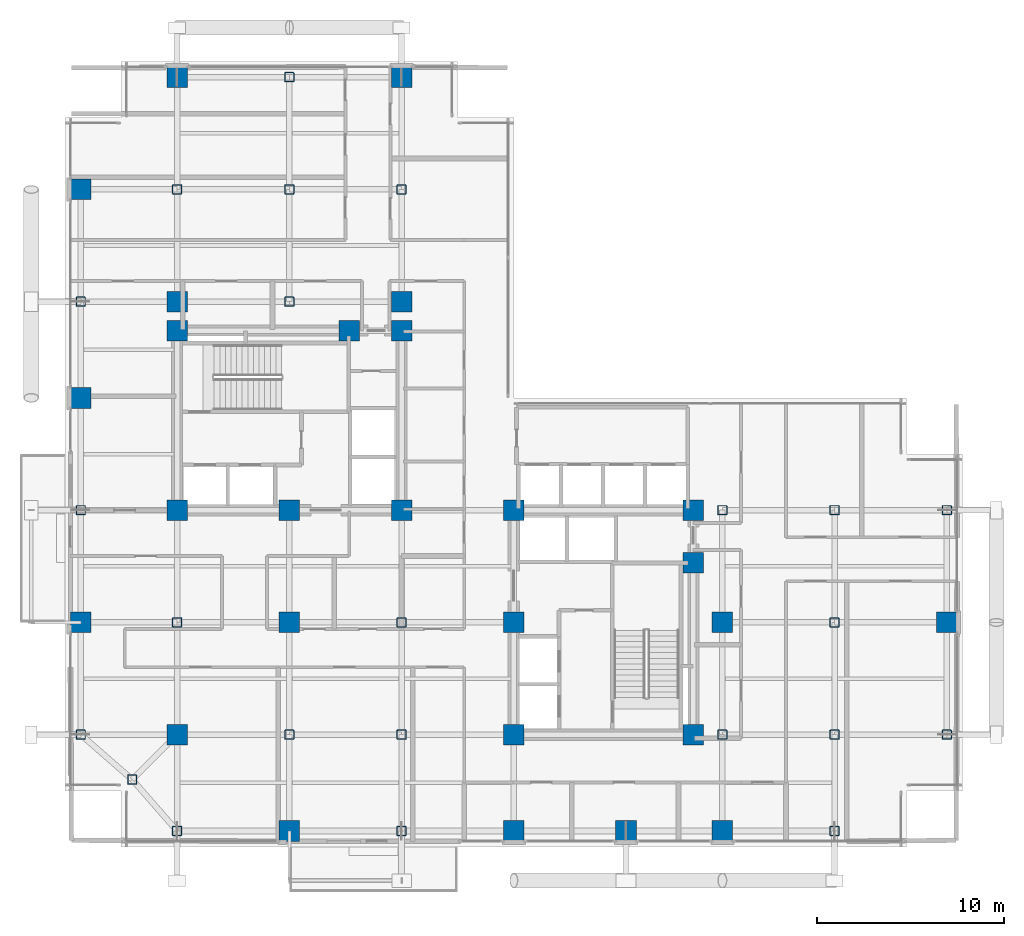
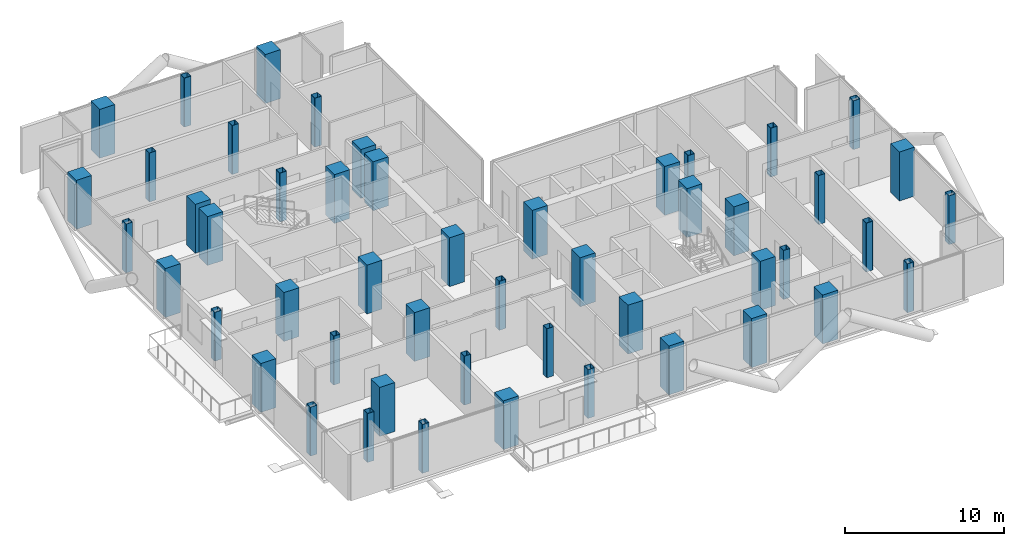
# One storey, part 1 of 24: 50 columns.
"""IFC4 building model written with IfcOpenShell, lengths in metres."""

from ifc_helpers import new_model, si_unit, direction, frame, origin, origin_2d, place, context, subcontext, project, spatial, rectangle, hollow_rectangle, extrude, material, material_profile, profile_set, type_object, element, save


model = new_model("IFC4")

# Units and contexts
model_context = context("Model", 3, precision=1e-05, world=origin(), true_north=direction((0.0, 1.0)))
body_context = subcontext(model_context, "Body", "Model", "MODEL_VIEW")
ifc_project = project(units=[si_unit("LENGTHUNIT", "METRE"), si_unit("AREAUNIT", "SQUARE_METRE"), si_unit("VOLUMEUNIT", "CUBIC_METRE"), si_unit("PLANEANGLEUNIT", "RADIAN"), si_unit("MASSUNIT", "GRAM", prefix="KILO"), si_unit("THERMODYNAMICTEMPERATUREUNIT", "KELVIN"), si_unit("POWERUNIT", "WATT")], contexts=[model_context])

# Site, building, storey
site_placement = place(None, origin())
site = spatial("IfcSite", under=ifc_project, at=site_placement, CompositionType="ELEMENT")
building_placement = place(site_placement, origin())
building = spatial("IfcBuilding", under=site, at=building_placement, Name="Svarakhadi Broadcast Tower", CompositionType="ELEMENT")
storey_placement = place(building_placement, frame((0.0, 0.0, 126.89990234375)))
storey = spatial("IfcBuildingStorey", under=building, at=storey_placement, Name="L30", CompositionType="ELEMENT", Elevation=126.89990234375)

# Columns
ifc_material_1 = material(Name="Concrete C50/60 (IS 456 M60)", Category="concrete")
ifc_material_profile_1 = material_profile(ifc_material_1, rectangle(XDim=1.10009765625, YDim=1.10009765625, at=origin_2d()), Name="RC 1100x1100")
ifc_profile_set_1 = profile_set([ifc_material_profile_1], Name="Concrete C50/60 (IS 456 M60)")
column_type_1 = type_object("IfcColumnType", Name="Col_RC1100", PredefinedType="COLUMN", material=ifc_profile_set_1)
for number, where, z_axis, x_axis, name in (
    (1, (6.0, 18.0, 0.0), (0.0, 0.0, 1.0), (1.0, 0.0, 0.0), "L30 Column CW1"),
    (2, (12.0, 18.0, 0.0), (0.0, 0.0, 1.0), (1.0, 0.0, 0.0), "L30 Column CW2"),
    (3, (18.0, 18.0, 0.0), (0.0, 0.0, 1.0), (1.0, 0.0, 0.0), "L30 Column CW3"),
    (4, (6.0, 27.60009765625, 0.0), (0.0, 0.0, 1.0), (1.0, 0.0, 0.0), "L30 Column CW4"),
    (5, (15.199951171875, 27.60009765625, 0.0), (0.0, 0.0, 1.0), (1.0, 0.0, 0.0), "L30 Column CW5"),
    (6, (18.0, 27.60009765625, 0.0), (0.0, 0.0, 1.0), (1.0, 0.0, 0.0), "L30 Column CW6"),
    (7, (24.0, 6.0, 0.0), (0.0, 0.0, 1.0), (1.0, 0.0, 0.0), "L30 Column CE1"),
    (8, (24.0, 12.0, 0.0), (0.0, 0.0, 1.0), (1.0, 0.0, 0.0), "L30 Column CE2"),
    (9, (24.0, 18.0, 0.0), (0.0, 0.0, 1.0), (1.0, 0.0, 0.0), "L30 Column CE3"),
    (10, (33.60009765625, 6.0, 0.0), (0.0, 0.0, 1.0), (1.0, 0.0, 0.0), "L30 Column CE4"),
    (11, (33.60009765625, 15.199951171875, 0.0), (0.0, 0.0, 1.0), (1.0, 0.0, 0.0), "L30 Column CE5"),
    (12, (33.60009765625, 18.0, 0.0), (0.0, 0.0, 1.0), (1.0, 0.0, 0.0), "L30 Column CE6"),
    (13, (0.85009765625, 12.0, 0.0), (0.0, 0.0, 1.0), (1.0, 0.0, 0.0), "L30 Column G04"),
    (14, (0.85009765625, 24.0, 0.0), (0.0, 0.0, 1.0), (1.0, 0.0, 0.0), "L30 Column G06"),
    (15, (0.85009765625, 35.14990234375, 0.0), (0.0, 0.0, 1.0), (1.0, 0.0, 0.0), "L30 Column G08"),
    (16, (6.0, 6.0, 0.0), (0.0, 0.0, 1.0), (1.0, 0.0, 0.0), "L30 Column G12"),
    (17, (6.0, 29.14990234375, 0.0), (0.0, 0.0, 1.0), (1.0, 0.0, 0.0), "L30 Column G14"),
    (18, (6.0, 41.14990234375, 0.0), (0.0, 0.0, 1.0), (1.0, 0.0, 0.0), "L30 Column G16"),
    (19, (12.0, 0.85009765625, 0.0), (0.0, 0.0, 1.0), (1.0, 0.0, 0.0), "L30 Column G18"),
    (20, (12.0, 12.0, 0.0), (0.0, 0.0, 1.0), (1.0, 0.0, 0.0), "L30 Column G20"),
    (21, (18.0, 29.14990234375, 0.0), (0.0, 0.0, 1.0), (1.0, 0.0, 0.0), "L30 Column G28"),
    (22, (18.0, 41.14990234375, 0.0), (0.0, 0.0, 1.0), (1.0, 0.0, 0.0), "L30 Column G30"),
    (23, (24.0, 0.85009765625, 0.0), (0.0, 0.0, 1.0), (1.0, 0.0, 0.0), "L30 Column G32"),
    (24, (30.0, 0.85009765625, 0.0), (0.0, 0.0, 1.0), (1.0, 0.0, 0.0), "L30 Column G36"),
    (25, (35.14990234375, 0.85009765625, 0.0), (0.0, 0.0, 1.0), (1.0, 0.0, 0.0), "L30 Column G38"),
    (26, (35.14990234375, 12.0, 0.0), (0.0, 0.0, 1.0), (1.0, 0.0, 0.0), "L30 Column G40"),
    (27, (47.14990234375, 12.0, 0.0), (0.0, 0.0, 1.0), (1.0, 0.0, 0.0), "L30 Column G52"),
):
    element("IfcColumn", number, at=place(storey_placement, frame(where, z_axis=z_axis, x_axis=x_axis)), inside=storey, type_object=column_type_1, Name=name, PredefinedType="COLUMN", context=body_context, shape_type="SweptSolid", body=[
        extrude(rectangle(XDim=1.10009765625, YDim=1.10009765625, at=origin_2d()), origin(), (0.0, 0.0, 1.0), 3.75),
    ])
ifc_material_2 = material(Name="Steel S460ML (IS 2062 E450BR)", Category="steel")
ifc_material_profile_2 = material_profile(ifc_material_2, hollow_rectangle(XDim=0.5, YDim=0.5, WallThickness=0.02490234375, InnerFilletRadius=0.02490234375, OuterFilletRadius=0.0400390625, at=origin_2d()), Name="SHS 500x500x25")
ifc_profile_set_2 = profile_set([ifc_material_profile_2], Name="Steel S460ML (IS 2062 E450BR)")
column_type_2 = type_object("IfcColumnType", Name="Col_SHS500", PredefinedType="COLUMN", material=ifc_profile_set_2)
for number, where, z_axis, x_axis, name in (
    (28, (3.60009765625, 3.60009765625, 0.0), (0.0, 0.0, 1.0), (1.0, 0.0, 0.0), "L30 Column G01"),
    (29, (0.85009765625, 6.0, 0.0), (0.0, 0.0, 1.0), (1.0, 0.0, 0.0), "L30 Column G03"),
    (30, (0.85009765625, 18.0, 0.0), (0.0, 0.0, 1.0), (1.0, 0.0, 0.0), "L30 Column G05"),
    (31, (0.85009765625, 29.14990234375, 0.0), (0.0, 0.0, 1.0), (1.0, 0.0, 0.0), "L30 Column G07"),
    (32, (6.0, 0.85009765625, 0.0), (0.0, 0.0, 1.0), (1.0, 0.0, 0.0), "L30 Column G11"),
    (33, (6.0, 12.0, 0.0), (0.0, 0.0, 1.0), (1.0, 0.0, 0.0), "L30 Column G13"),
    (34, (6.0, 35.14990234375, 0.0), (0.0, 0.0, 1.0), (1.0, 0.0, 0.0), "L30 Column G15"),
    (35, (12.0, 6.0, 0.0), (0.0, 0.0, 1.0), (1.0, 0.0, 0.0), "L30 Column G19"),
    (36, (12.0, 29.14990234375, 0.0), (0.0, 0.0, 1.0), (1.0, 0.0, 0.0), "L30 Column G21"),
    (37, (12.0, 35.14990234375, 0.0), (0.0, 0.0, 1.0), (1.0, 0.0, 0.0), "L30 Column G22"),
    (38, (12.0, 41.14990234375, 0.0), (0.0, 0.0, 1.0), (1.0, 0.0, 0.0), "L30 Column G23"),
    (39, (18.0, 0.85009765625, 0.0), (0.0, 0.0, 1.0), (1.0, 0.0, 0.0), "L30 Column G25"),
    (40, (18.0, 6.0, 0.0), (0.0, 0.0, 1.0), (1.0, 0.0, 0.0), "L30 Column G26"),
    (41, (18.0, 12.0, 0.0), (0.0, 0.0, 1.0), (1.0, 0.0, 0.0), "L30 Column G27"),
    (42, (18.0, 35.14990234375, 0.0), (0.0, 0.0, 1.0), (1.0, 0.0, 0.0), "L30 Column G29"),
    (43, (35.14990234375, 6.0, 0.0), (0.0, 0.0, 1.0), (1.0, 0.0, 0.0), "L30 Column G39"),
    (44, (35.14990234375, 18.0, 0.0), (0.0, 0.0, 1.0), (1.0, 0.0, 0.0), "L30 Column G41"),
    (45, (41.14990234375, 0.85009765625, 0.0), (0.0, 0.0, 1.0), (1.0, 0.0, 0.0), "L30 Column G43"),
    (46, (41.14990234375, 6.0, 0.0), (0.0, 0.0, 1.0), (1.0, 0.0, 0.0), "L30 Column G44"),
    (47, (41.14990234375, 12.0, 0.0), (0.0, 0.0, 1.0), (1.0, 0.0, 0.0), "L30 Column G45"),
    (48, (41.14990234375, 18.0, 0.0), (0.0, 0.0, 1.0), (1.0, 0.0, 0.0), "L30 Column G46"),
    (49, (47.14990234375, 6.0, 0.0), (0.0, 0.0, 1.0), (1.0, 0.0, 0.0), "L30 Column G51"),
    (50, (47.14990234375, 18.0, 0.0), (0.0, 0.0, 1.0), (1.0, 0.0, 0.0), "L30 Column G53"),
):
    element("IfcColumn", number, at=place(storey_placement, frame(where, z_axis=z_axis, x_axis=x_axis)), inside=storey, type_object=column_type_2, Name=name, PredefinedType="COLUMN", context=body_context, shape_type="SweptSolid", body=[
        extrude(hollow_rectangle(XDim=0.5, YDim=0.5, WallThickness=0.02490234375, InnerFilletRadius=0.02490234375, OuterFilletRadius=0.0400390625, at=origin_2d()), origin(), (0.0, 0.0, 1.0), 3.75),
    ])

save(model, "model.ifc")
